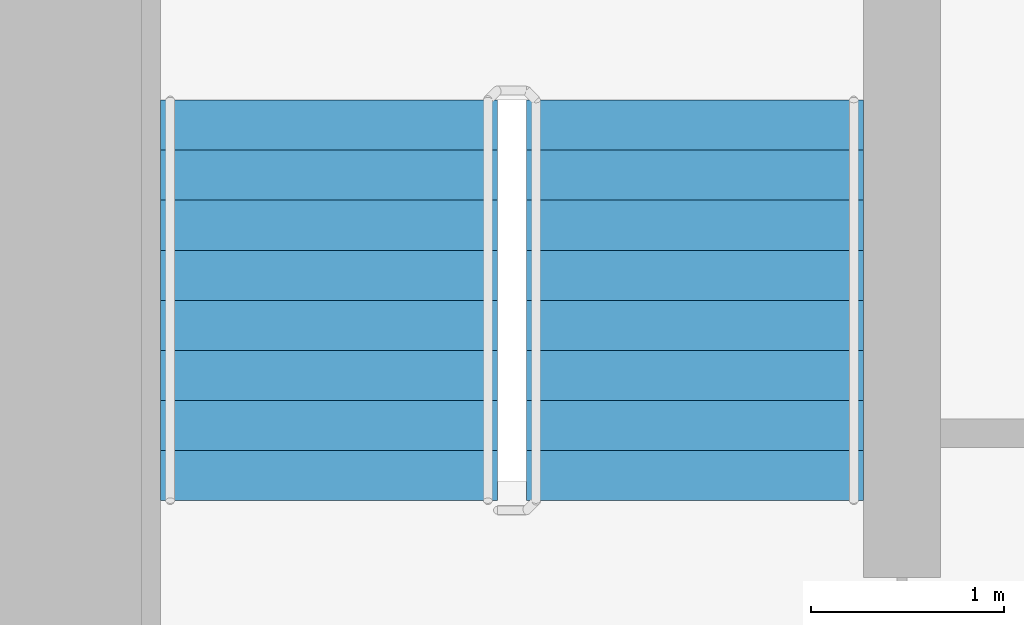
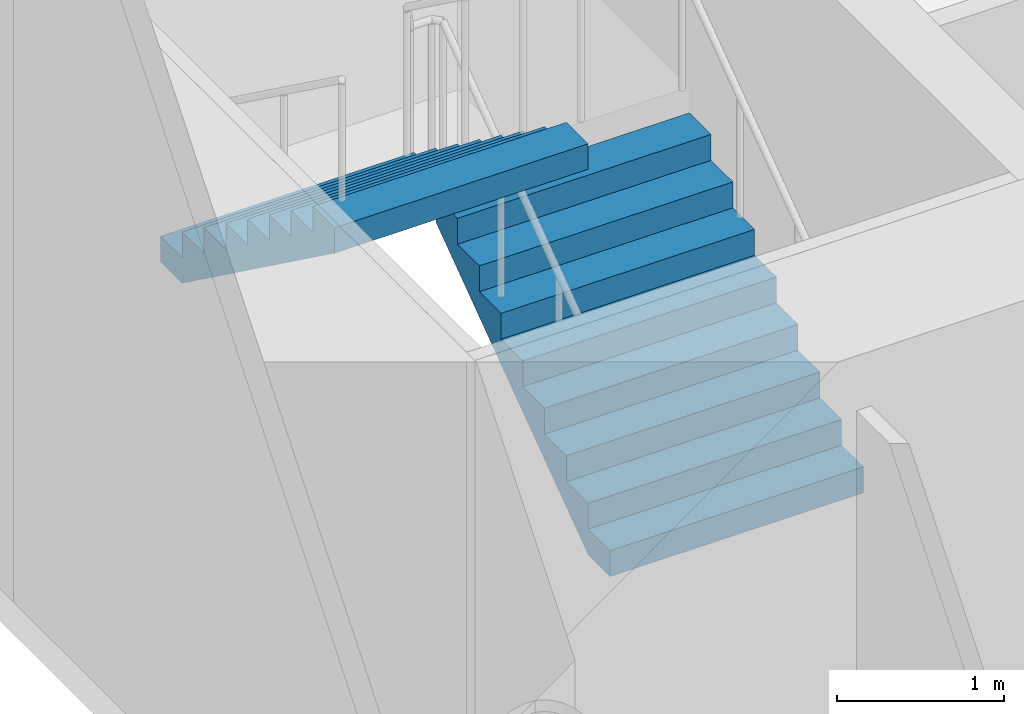
# One storey, part 21 of 25: 2 stair flights, 1 element without a shape of its own.
"""IFC4 building model written with IfcOpenShell, lengths in metres."""

from ifc_helpers import new_model, si_unit, direction, frame, origin, place, context, subcontext, project, spatial, faceted_brep, material, type_object, element, aggregate, save


model = new_model("IFC4")

# Units and contexts
model_context = context("Model", 3, precision=1e-05, world=origin(), true_north=direction((0.0, 1.0)))
body_context = subcontext(model_context, "Body", "Model", "MODEL_VIEW")
ifc_project = project(units=[si_unit("LENGTHUNIT", "METRE"), si_unit("AREAUNIT", "SQUARE_METRE"), si_unit("VOLUMEUNIT", "CUBIC_METRE"), si_unit("PLANEANGLEUNIT", "RADIAN"), si_unit("MASSUNIT", "GRAM", prefix="KILO")], contexts=[model_context])

# Site, building, storey
site_placement = place(None, origin())
site = spatial("IfcSite", under=ifc_project, at=site_placement, CompositionType="ELEMENT")
building_placement = place(site_placement, origin())
building = spatial("IfcBuilding", under=site, at=building_placement, Name="Ipe Terrace Towers", CompositionType="ELEMENT")
storey_placement = place(building_placement, frame((0.0, 0.0, 65.300048828125)))
storey = spatial("IfcBuildingStorey", under=building, at=storey_placement, Name="L17", CompositionType="ELEMENT", Elevation=65.300048828125)

# Stair, stair flights
ifc_material_1 = material(Name="Concrete C30/37", Category="concrete")
stair_type = type_object("IfcStairType", Name="Protected exit stair", PredefinedType="HALF_TURN_STAIR", material=ifc_material_1)
stair_placement = place(storey_placement, origin())
stair = element("IfcStair", 1, at=stair_placement, inside=storey, type_object=stair_type, Name="L17 Exit stair T2-C1", PredefinedType="HALF_TURN_STAIR")
ifc_material_2 = material(Name="Concrete C30/37", Category="concrete")
stair_flight_type = type_object("IfcStairFlightType", Name="Exit stair flight 1750", PredefinedType="STRAIGHT", material=ifc_material_2)
stair_flight_1_placement = place(storey_placement, frame((33.22509765625, 9.699951171875, 0.0), z_axis=(0.0, 0.0, 1.0), x_axis=(0.0, 1.0, 0.0)))
stair_flight_1 = element("IfcStairFlight", 2, at=stair_flight_1_placement, type_object=stair_flight_type, Name="T2-ST1 flight 1", NumberOfRisers=9, NumberOfTreads=8, PredefinedType="STRAIGHT", RiserHeight=0.188888889, TreadLength=0.26, context=body_context, shape_type="Brep", body=[
    faceted_brep([(0.255126953125, -0.875, 0.0), (2.080078125, -0.875, 1.325927734375), (2.080078125, -0.875, 1.51123046875), (1.820068359375, -0.875, 1.51123046875), (1.820068359375, -0.875, 1.322265625), (1.56005859375, -0.875, 1.322265625), (1.56005859375, -0.875, 1.13330078125), (1.300048828125, -0.875, 1.13330078125), (1.300048828125, -0.875, 0.9443359375), (1.0400390625, -0.875, 0.9443359375), (1.0400390625, -0.875, 0.755615234375), (0.780029296875, -0.875, 0.755615234375), (0.780029296875, -0.875, 0.566650390625), (0.52001953125, -0.875, 0.566650390625), (0.52001953125, -0.875, 0.377685546875), (0.260009765625, -0.875, 0.377685546875), (0.260009765625, -0.875, 0.18896484375), (0.0, -0.875, 0.18896484375), (0.0, -0.875, 0.0), (0.0, 0.875, 0.0), (0.0, 0.875, 0.18896484375), (0.260009765625, 0.875, 0.18896484375), (0.260009765625, 0.875, 0.377685546875), (0.52001953125, 0.875, 0.377685546875), (0.52001953125, 0.875, 0.566650390625), (0.780029296875, 0.875, 0.566650390625), (0.780029296875, 0.875, 0.755615234375), (1.0400390625, 0.875, 0.755615234375), (1.0400390625, 0.875, 0.9443359375), (1.300048828125, 0.875, 0.9443359375), (1.300048828125, 0.875, 1.13330078125), (1.56005859375, 0.875, 1.13330078125), (1.56005859375, 0.875, 1.322265625), (1.820068359375, 0.875, 1.322265625), (1.820068359375, 0.875, 1.51123046875), (2.080078125, 0.875, 1.51123046875), (2.080078125, 0.875, 1.325927734375), (0.255126953125, 0.875, 0.0), (0.0, -0.300048828125, 0.18896484375), (0.0, -0.1201171875, 0.18896484375), (0.0, -0.06005859375, 0.18896484375), (0.0, -0.030029296875, 0.18896484375), (0.0, -0.010009765625, 0.18896484375), (0.0, 0.0, 0.18896484375), (0.0, 0.010009765625, 0.18896484375), (0.0, 0.030029296875, 0.18896484375), (0.0, 0.06005859375, 0.18896484375), (0.0, 0.1201171875, 0.18896484375), (0.0, 0.300048828125, 0.18896484375), (0.0, 0.300048828125, 0.0), (0.0, 0.1201171875, 0.0), (0.0, 0.06005859375, 0.0), (0.0, 0.030029296875, 0.0), (0.0, 0.010009765625, 0.0), (0.0, 0.0, 0.0), (0.0, -0.010009765625, 0.0), (0.0, -0.030029296875, 0.0), (0.0, -0.06005859375, 0.0), (0.0, -0.1201171875, 0.0), (0.0, -0.300048828125, 0.0), (0.260009765625, -0.300048828125, 0.18896484375), (0.260009765625, -0.1201171875, 0.18896484375), (0.260009765625, -0.06005859375, 0.18896484375), (0.260009765625, -0.030029296875, 0.18896484375), (0.260009765625, -0.010009765625, 0.18896484375), (0.260009765625, 0.0, 0.18896484375), (0.260009765625, 0.010009765625, 0.18896484375), (0.260009765625, 0.030029296875, 0.18896484375), (0.260009765625, 0.06005859375, 0.18896484375), (0.260009765625, 0.1201171875, 0.18896484375), (0.260009765625, 0.300048828125, 0.18896484375), (0.260009765625, -0.300048828125, 0.377685546875), (0.260009765625, -0.1201171875, 0.377685546875), (0.260009765625, -0.06005859375, 0.377685546875), (0.260009765625, -0.030029296875, 0.377685546875), (0.260009765625, -0.010009765625, 0.377685546875), (0.260009765625, 0.0, 0.377685546875), (0.260009765625, 0.010009765625, 0.377685546875), (0.260009765625, 0.030029296875, 0.377685546875), (0.260009765625, 0.06005859375, 0.377685546875), (0.260009765625, 0.1201171875, 0.377685546875), (0.260009765625, 0.300048828125, 0.377685546875), (0.52001953125, -0.300048828125, 0.377685546875), (0.52001953125, -0.1201171875, 0.377685546875), (0.52001953125, -0.06005859375, 0.377685546875), (0.52001953125, -0.030029296875, 0.377685546875), (0.52001953125, -0.010009765625, 0.377685546875), (0.52001953125, 0.0, 0.377685546875), (0.52001953125, 0.010009765625, 0.377685546875), (0.52001953125, 0.030029296875, 0.377685546875), (0.52001953125, 0.06005859375, 0.377685546875), (0.52001953125, 0.1201171875, 0.377685546875), (0.52001953125, 0.300048828125, 0.377685546875), (0.52001953125, -0.300048828125, 0.566650390625), (0.52001953125, -0.1201171875, 0.566650390625), (0.52001953125, -0.06005859375, 0.566650390625), (0.52001953125, -0.030029296875, 0.566650390625), (0.52001953125, -0.010009765625, 0.566650390625), (0.52001953125, 0.0, 0.566650390625), (0.52001953125, 0.010009765625, 0.566650390625), (0.52001953125, 0.030029296875, 0.566650390625), (0.52001953125, 0.06005859375, 0.566650390625), (0.52001953125, 0.1201171875, 0.566650390625), (0.52001953125, 0.300048828125, 0.566650390625), (0.780029296875, -0.300048828125, 0.566650390625), (0.780029296875, -0.1201171875, 0.566650390625), (0.780029296875, -0.06005859375, 0.566650390625), (0.780029296875, -0.030029296875, 0.566650390625), (0.780029296875, -0.010009765625, 0.566650390625), (0.780029296875, 0.0, 0.566650390625), (0.780029296875, 0.010009765625, 0.566650390625), (0.780029296875, 0.030029296875, 0.566650390625), (0.780029296875, 0.06005859375, 0.566650390625), (0.780029296875, 0.1201171875, 0.566650390625), (0.780029296875, 0.300048828125, 0.566650390625), (0.780029296875, -0.300048828125, 0.755615234375), (0.780029296875, -0.1201171875, 0.755615234375), (0.780029296875, -0.06005859375, 0.755615234375), (0.780029296875, -0.030029296875, 0.755615234375), (0.780029296875, -0.010009765625, 0.755615234375), (0.780029296875, 0.0, 0.755615234375), (0.780029296875, 0.010009765625, 0.755615234375), (0.780029296875, 0.030029296875, 0.755615234375), (0.780029296875, 0.06005859375, 0.755615234375), (0.780029296875, 0.1201171875, 0.755615234375), (0.780029296875, 0.300048828125, 0.755615234375), (1.0400390625, -0.300048828125, 0.755615234375), (1.0400390625, -0.1201171875, 0.755615234375), (1.0400390625, -0.06005859375, 0.755615234375), (1.0400390625, -0.030029296875, 0.755615234375), (1.0400390625, -0.010009765625, 0.755615234375), (1.0400390625, 0.0, 0.755615234375), (1.0400390625, 0.010009765625, 0.755615234375), (1.0400390625, 0.030029296875, 0.755615234375), (1.0400390625, 0.06005859375, 0.755615234375), (1.0400390625, 0.1201171875, 0.755615234375), (1.0400390625, 0.300048828125, 0.755615234375), (1.0400390625, -0.300048828125, 0.9443359375), (1.0400390625, -0.1201171875, 0.9443359375), (1.0400390625, -0.06005859375, 0.9443359375), (1.0400390625, -0.030029296875, 0.9443359375), (1.0400390625, -0.010009765625, 0.9443359375), (1.0400390625, 0.0, 0.9443359375), (1.0400390625, 0.010009765625, 0.9443359375), (1.0400390625, 0.030029296875, 0.9443359375), (1.0400390625, 0.06005859375, 0.9443359375), (1.0400390625, 0.1201171875, 0.9443359375), (1.0400390625, 0.300048828125, 0.9443359375), (1.300048828125, -0.300048828125, 0.9443359375), (1.300048828125, -0.1201171875, 0.9443359375), (1.300048828125, -0.06005859375, 0.9443359375), (1.300048828125, -0.030029296875, 0.9443359375), (1.300048828125, -0.010009765625, 0.9443359375), (1.300048828125, 0.0, 0.9443359375), (1.300048828125, 0.010009765625, 0.9443359375), (1.300048828125, 0.030029296875, 0.9443359375), (1.300048828125, 0.06005859375, 0.9443359375), (1.300048828125, 0.1201171875, 0.9443359375), (1.300048828125, 0.300048828125, 0.9443359375), (1.300048828125, -0.300048828125, 1.13330078125), (1.300048828125, -0.1201171875, 1.13330078125), (1.300048828125, -0.06005859375, 1.13330078125), (1.300048828125, -0.030029296875, 1.13330078125), (1.300048828125, -0.010009765625, 1.13330078125), (1.300048828125, 0.0, 1.13330078125), (1.300048828125, 0.010009765625, 1.13330078125), (1.300048828125, 0.030029296875, 1.13330078125), (1.300048828125, 0.06005859375, 1.13330078125), (1.300048828125, 0.1201171875, 1.13330078125), (1.300048828125, 0.300048828125, 1.13330078125), (1.56005859375, -0.300048828125, 1.13330078125), (1.56005859375, -0.1201171875, 1.13330078125), (1.56005859375, -0.06005859375, 1.13330078125), (1.56005859375, -0.030029296875, 1.13330078125), (1.56005859375, -0.010009765625, 1.13330078125), (1.56005859375, 0.0, 1.13330078125), (1.56005859375, 0.010009765625, 1.13330078125), (1.56005859375, 0.030029296875, 1.13330078125), (1.56005859375, 0.06005859375, 1.13330078125), (1.56005859375, 0.1201171875, 1.13330078125), (1.56005859375, 0.300048828125, 1.13330078125), (1.56005859375, -0.300048828125, 1.322265625), (1.56005859375, -0.1201171875, 1.322265625), (1.56005859375, -0.06005859375, 1.322265625), (1.56005859375, -0.030029296875, 1.322265625), (1.56005859375, -0.010009765625, 1.322265625), (1.56005859375, 0.0, 1.322265625), (1.56005859375, 0.010009765625, 1.322265625), (1.56005859375, 0.030029296875, 1.322265625), (1.56005859375, 0.06005859375, 1.322265625), (1.56005859375, 0.1201171875, 1.322265625), (1.56005859375, 0.300048828125, 1.322265625), (1.820068359375, -0.300048828125, 1.322265625), (1.820068359375, -0.1201171875, 1.322265625), (1.820068359375, -0.06005859375, 1.322265625), (1.820068359375, -0.030029296875, 1.322265625), (1.820068359375, -0.010009765625, 1.322265625), (1.820068359375, 0.0, 1.322265625), (1.820068359375, 0.010009765625, 1.322265625), (1.820068359375, 0.030029296875, 1.322265625), (1.820068359375, 0.06005859375, 1.322265625), (1.820068359375, 0.1201171875, 1.322265625), (1.820068359375, 0.300048828125, 1.322265625), (1.820068359375, -0.300048828125, 1.51123046875), (1.820068359375, -0.1201171875, 1.51123046875), (1.820068359375, -0.06005859375, 1.51123046875), (1.820068359375, -0.030029296875, 1.51123046875), (1.820068359375, -0.010009765625, 1.51123046875), (1.820068359375, 0.0, 1.51123046875), (1.820068359375, 0.010009765625, 1.51123046875), (1.820068359375, 0.030029296875, 1.51123046875), (1.820068359375, 0.06005859375, 1.51123046875), (1.820068359375, 0.1201171875, 1.51123046875), (1.820068359375, 0.300048828125, 1.51123046875), (2.080078125, -0.300048828125, 1.51123046875), (2.080078125, -0.1201171875, 1.51123046875), (2.080078125, -0.06005859375, 1.51123046875), (2.080078125, -0.030029296875, 1.51123046875), (2.080078125, -0.010009765625, 1.51123046875), (2.080078125, 0.0, 1.51123046875), (2.080078125, 0.010009765625, 1.51123046875), (2.080078125, 0.030029296875, 1.51123046875), (2.080078125, 0.06005859375, 1.51123046875), (2.080078125, 0.1201171875, 1.51123046875), (2.080078125, 0.300048828125, 1.51123046875), (2.080078125, -0.300048828125, 1.325927734375), (2.080078125, -0.1201171875, 1.325927734375), (2.080078125, -0.06005859375, 1.325927734375), (2.080078125, -0.030029296875, 1.325927734375), (2.080078125, -0.010009765625, 1.325927734375), (2.080078125, 0.0, 1.325927734375), (2.080078125, 0.010009765625, 1.325927734375), (2.080078125, 0.030029296875, 1.325927734375), (2.080078125, 0.06005859375, 1.325927734375), (2.080078125, 0.1201171875, 1.325927734375), (2.080078125, 0.300048828125, 1.325927734375), (0.255126953125, -0.300048828125, 0.0), (0.255126953125, -0.1201171875, 0.0), (0.255126953125, -0.06005859375, 0.0), (0.255126953125, -0.030029296875, 0.0), (0.255126953125, -0.010009765625, 0.0), (0.255126953125, 0.0, 0.0), (0.255126953125, 0.010009765625, 0.0), (0.255126953125, 0.030029296875, 0.0), (0.255126953125, 0.06005859375, 0.0), (0.255126953125, 0.1201171875, 0.0), (0.255126953125, 0.300048828125, 0.0)], [[[0, 1, 2, 3, 4, 5, 6, 7, 8, 9, 10, 11, 12, 13, 14, 15, 16, 17, 18]], [[19, 20, 21, 22, 23, 24, 25, 26, 27, 28, 29, 30, 31, 32, 33, 34, 35, 36, 37]], [[17, 38, 39, 40, 41, 42, 43, 44, 45, 46, 47, 48, 20, 19, 49, 50, 51, 52, 53, 54, 55, 56, 57, 58, 59, 18]], [[16, 60, 61, 62, 63, 64, 65, 66, 67, 68, 69, 70, 21, 20, 48, 47, 46, 45, 44, 43, 42, 41, 40, 39, 38, 17]], [[15, 71, 72, 73, 74, 75, 76, 77, 78, 79, 80, 81, 22, 21, 70, 69, 68, 67, 66, 65, 64, 63, 62, 61, 60, 16]], [[14, 82, 83, 84, 85, 86, 87, 88, 89, 90, 91, 92, 23, 22, 81, 80, 79, 78, 77, 76, 75, 74, 73, 72, 71, 15]], [[13, 93, 94, 95, 96, 97, 98, 99, 100, 101, 102, 103, 24, 23, 92, 91, 90, 89, 88, 87, 86, 85, 84, 83, 82, 14]], [[12, 104, 105, 106, 107, 108, 109, 110, 111, 112, 113, 114, 25, 24, 103, 102, 101, 100, 99, 98, 97, 96, 95, 94, 93, 13]], [[11, 115, 116, 117, 118, 119, 120, 121, 122, 123, 124, 125, 26, 25, 114, 113, 112, 111, 110, 109, 108, 107, 106, 105, 104, 12]], [[10, 126, 127, 128, 129, 130, 131, 132, 133, 134, 135, 136, 27, 26, 125, 124, 123, 122, 121, 120, 119, 118, 117, 116, 115, 11]], [[9, 137, 138, 139, 140, 141, 142, 143, 144, 145, 146, 147, 28, 27, 136, 135, 134, 133, 132, 131, 130, 129, 128, 127, 126, 10]], [[8, 148, 149, 150, 151, 152, 153, 154, 155, 156, 157, 158, 29, 28, 147, 146, 145, 144, 143, 142, 141, 140, 139, 138, 137, 9]], [[7, 159, 160, 161, 162, 163, 164, 165, 166, 167, 168, 169, 30, 29, 158, 157, 156, 155, 154, 153, 152, 151, 150, 149, 148, 8]], [[6, 170, 171, 172, 173, 174, 175, 176, 177, 178, 179, 180, 31, 30, 169, 168, 167, 166, 165, 164, 163, 162, 161, 160, 159, 7]], [[5, 181, 182, 183, 184, 185, 186, 187, 188, 189, 190, 191, 32, 31, 180, 179, 178, 177, 176, 175, 174, 173, 172, 171, 170, 6]], [[4, 192, 193, 194, 195, 196, 197, 198, 199, 200, 201, 202, 33, 32, 191, 190, 189, 188, 187, 186, 185, 184, 183, 182, 181, 5]], [[3, 203, 204, 205, 206, 207, 208, 209, 210, 211, 212, 213, 34, 33, 202, 201, 200, 199, 198, 197, 196, 195, 194, 193, 192, 4]], [[2, 214, 215, 216, 217, 218, 219, 220, 221, 222, 223, 224, 35, 34, 213, 212, 211, 210, 209, 208, 207, 206, 205, 204, 203, 3]], [[1, 225, 226, 227, 228, 229, 230, 231, 232, 233, 234, 235, 36, 35, 224, 223, 222, 221, 220, 219, 218, 217, 216, 215, 214, 2]], [[0, 236, 237, 238, 239, 240, 241, 242, 243, 244, 245, 246, 37, 36, 235, 234, 233, 232, 231, 230, 229, 228, 227, 226, 225, 1]], [[18, 59, 58, 57, 56, 55, 54, 53, 52, 51, 50, 49, 19, 37, 246, 245, 244, 243, 242, 241, 240, 239, 238, 237, 236, 0]]]),
])
stair_flight_2_placement = place(storey_placement, frame((31.324951171875, 11.780029296875, 1.699951171875), z_axis=(0.0, 0.0, 1.0), x_axis=(0.0, -1.0, 0.0)))
stair_flight_2 = element("IfcStairFlight", 3, at=stair_flight_2_placement, type_object=stair_flight_type, Name="T2-ST1 flight 2", NumberOfRisers=9, NumberOfTreads=8, PredefinedType="STRAIGHT", RiserHeight=0.188888889, TreadLength=0.26, context=body_context, shape_type="Brep", body=[
    faceted_brep([(0.255126953125, -0.875, 0.0), (2.080078125, -0.875, 1.325927734375), (2.080078125, -0.875, 1.51123046875), (1.820068359375, -0.875, 1.51123046875), (1.820068359375, -0.875, 1.322265625), (1.56005859375, -0.875, 1.322265625), (1.56005859375, -0.875, 1.13330078125), (1.300048828125, -0.875, 1.13330078125), (1.300048828125, -0.875, 0.9443359375), (1.0400390625, -0.875, 0.9443359375), (1.0400390625, -0.875, 0.755615234375), (0.780029296875, -0.875, 0.755615234375), (0.780029296875, -0.875, 0.566650390625), (0.52001953125, -0.875, 0.566650390625), (0.52001953125, -0.875, 0.377685546875), (0.260009765625, -0.875, 0.377685546875), (0.260009765625, -0.875, 0.18896484375), (0.0, -0.875, 0.18896484375), (0.0, -0.875, 0.0), (0.0, 0.875, 0.0), (0.0, 0.875, 0.18896484375), (0.260009765625, 0.875, 0.18896484375), (0.260009765625, 0.875, 0.377685546875), (0.52001953125, 0.875, 0.377685546875), (0.52001953125, 0.875, 0.566650390625), (0.780029296875, 0.875, 0.566650390625), (0.780029296875, 0.875, 0.755615234375), (1.0400390625, 0.875, 0.755615234375), (1.0400390625, 0.875, 0.9443359375), (1.300048828125, 0.875, 0.9443359375), (1.300048828125, 0.875, 1.13330078125), (1.56005859375, 0.875, 1.13330078125), (1.56005859375, 0.875, 1.322265625), (1.820068359375, 0.875, 1.322265625), (1.820068359375, 0.875, 1.51123046875), (2.080078125, 0.875, 1.51123046875), (2.080078125, 0.875, 1.325927734375), (0.255126953125, 0.875, 0.0), (0.0, -0.300048828125, 0.18896484375), (0.0, -0.1201171875, 0.18896484375), (0.0, -0.06005859375, 0.18896484375), (0.0, -0.030029296875, 0.18896484375), (0.0, -0.010009765625, 0.18896484375), (0.0, 0.0, 0.18896484375), (0.0, 0.010009765625, 0.18896484375), (0.0, 0.030029296875, 0.18896484375), (0.0, 0.06005859375, 0.18896484375), (0.0, 0.1201171875, 0.18896484375), (0.0, 0.300048828125, 0.18896484375), (0.0, 0.300048828125, 0.0), (0.0, 0.1201171875, 0.0), (0.0, 0.06005859375, 0.0), (0.0, 0.030029296875, 0.0), (0.0, 0.010009765625, 0.0), (0.0, 0.0, 0.0), (0.0, -0.010009765625, 0.0), (0.0, -0.030029296875, 0.0), (0.0, -0.06005859375, 0.0), (0.0, -0.1201171875, 0.0), (0.0, -0.300048828125, 0.0), (0.260009765625, -0.300048828125, 0.18896484375), (0.260009765625, -0.1201171875, 0.18896484375), (0.260009765625, -0.06005859375, 0.18896484375), (0.260009765625, -0.030029296875, 0.18896484375), (0.260009765625, -0.010009765625, 0.18896484375), (0.260009765625, 0.0, 0.18896484375), (0.260009765625, 0.010009765625, 0.18896484375), (0.260009765625, 0.030029296875, 0.18896484375), (0.260009765625, 0.06005859375, 0.18896484375), (0.260009765625, 0.1201171875, 0.18896484375), (0.260009765625, 0.300048828125, 0.18896484375), (0.260009765625, -0.300048828125, 0.377685546875), (0.260009765625, -0.1201171875, 0.377685546875), (0.260009765625, -0.06005859375, 0.377685546875), (0.260009765625, -0.030029296875, 0.377685546875), (0.260009765625, -0.010009765625, 0.377685546875), (0.260009765625, 0.0, 0.377685546875), (0.260009765625, 0.010009765625, 0.377685546875), (0.260009765625, 0.030029296875, 0.377685546875), (0.260009765625, 0.06005859375, 0.377685546875), (0.260009765625, 0.1201171875, 0.377685546875), (0.260009765625, 0.300048828125, 0.377685546875), (0.52001953125, -0.300048828125, 0.377685546875), (0.52001953125, -0.1201171875, 0.377685546875), (0.52001953125, -0.06005859375, 0.377685546875), (0.52001953125, -0.030029296875, 0.377685546875), (0.52001953125, -0.010009765625, 0.377685546875), (0.52001953125, 0.0, 0.377685546875), (0.52001953125, 0.010009765625, 0.377685546875), (0.52001953125, 0.030029296875, 0.377685546875), (0.52001953125, 0.06005859375, 0.377685546875), (0.52001953125, 0.1201171875, 0.377685546875), (0.52001953125, 0.300048828125, 0.377685546875), (0.52001953125, -0.300048828125, 0.566650390625), (0.52001953125, -0.1201171875, 0.566650390625), (0.52001953125, -0.06005859375, 0.566650390625), (0.52001953125, -0.030029296875, 0.566650390625), (0.52001953125, -0.010009765625, 0.566650390625), (0.52001953125, 0.0, 0.566650390625), (0.52001953125, 0.010009765625, 0.566650390625), (0.52001953125, 0.030029296875, 0.566650390625), (0.52001953125, 0.06005859375, 0.566650390625), (0.52001953125, 0.1201171875, 0.566650390625), (0.52001953125, 0.300048828125, 0.566650390625), (0.780029296875, -0.300048828125, 0.566650390625), (0.780029296875, -0.1201171875, 0.566650390625), (0.780029296875, -0.06005859375, 0.566650390625), (0.780029296875, -0.030029296875, 0.566650390625), (0.780029296875, -0.010009765625, 0.566650390625), (0.780029296875, 0.0, 0.566650390625), (0.780029296875, 0.010009765625, 0.566650390625), (0.780029296875, 0.030029296875, 0.566650390625), (0.780029296875, 0.06005859375, 0.566650390625), (0.780029296875, 0.1201171875, 0.566650390625), (0.780029296875, 0.300048828125, 0.566650390625), (0.780029296875, -0.300048828125, 0.755615234375), (0.780029296875, -0.1201171875, 0.755615234375), (0.780029296875, -0.06005859375, 0.755615234375), (0.780029296875, -0.030029296875, 0.755615234375), (0.780029296875, -0.010009765625, 0.755615234375), (0.780029296875, 0.0, 0.755615234375), (0.780029296875, 0.010009765625, 0.755615234375), (0.780029296875, 0.030029296875, 0.755615234375), (0.780029296875, 0.06005859375, 0.755615234375), (0.780029296875, 0.1201171875, 0.755615234375), (0.780029296875, 0.300048828125, 0.755615234375), (1.0400390625, -0.300048828125, 0.755615234375), (1.0400390625, -0.1201171875, 0.755615234375), (1.0400390625, -0.06005859375, 0.755615234375), (1.0400390625, -0.030029296875, 0.755615234375), (1.0400390625, -0.010009765625, 0.755615234375), (1.0400390625, 0.0, 0.755615234375), (1.0400390625, 0.010009765625, 0.755615234375), (1.0400390625, 0.030029296875, 0.755615234375), (1.0400390625, 0.06005859375, 0.755615234375), (1.0400390625, 0.1201171875, 0.755615234375), (1.0400390625, 0.300048828125, 0.755615234375), (1.0400390625, -0.300048828125, 0.9443359375), (1.0400390625, -0.1201171875, 0.9443359375), (1.0400390625, -0.06005859375, 0.9443359375), (1.0400390625, -0.030029296875, 0.9443359375), (1.0400390625, -0.010009765625, 0.9443359375), (1.0400390625, 0.0, 0.9443359375), (1.0400390625, 0.010009765625, 0.9443359375), (1.0400390625, 0.030029296875, 0.9443359375), (1.0400390625, 0.06005859375, 0.9443359375), (1.0400390625, 0.1201171875, 0.9443359375), (1.0400390625, 0.300048828125, 0.9443359375), (1.300048828125, -0.300048828125, 0.9443359375), (1.300048828125, -0.1201171875, 0.9443359375), (1.300048828125, -0.06005859375, 0.9443359375), (1.300048828125, -0.030029296875, 0.9443359375), (1.300048828125, -0.010009765625, 0.9443359375), (1.300048828125, 0.0, 0.9443359375), (1.300048828125, 0.010009765625, 0.9443359375), (1.300048828125, 0.030029296875, 0.9443359375), (1.300048828125, 0.06005859375, 0.9443359375), (1.300048828125, 0.1201171875, 0.9443359375), (1.300048828125, 0.300048828125, 0.9443359375), (1.300048828125, -0.300048828125, 1.13330078125), (1.300048828125, -0.1201171875, 1.13330078125), (1.300048828125, -0.06005859375, 1.13330078125), (1.300048828125, -0.030029296875, 1.13330078125), (1.300048828125, -0.010009765625, 1.13330078125), (1.300048828125, 0.0, 1.13330078125), (1.300048828125, 0.010009765625, 1.13330078125), (1.300048828125, 0.030029296875, 1.13330078125), (1.300048828125, 0.06005859375, 1.13330078125), (1.300048828125, 0.1201171875, 1.13330078125), (1.300048828125, 0.300048828125, 1.13330078125), (1.56005859375, -0.300048828125, 1.13330078125), (1.56005859375, -0.1201171875, 1.13330078125), (1.56005859375, -0.06005859375, 1.13330078125), (1.56005859375, -0.030029296875, 1.13330078125), (1.56005859375, -0.010009765625, 1.13330078125), (1.56005859375, 0.0, 1.13330078125), (1.56005859375, 0.010009765625, 1.13330078125), (1.56005859375, 0.030029296875, 1.13330078125), (1.56005859375, 0.06005859375, 1.13330078125), (1.56005859375, 0.1201171875, 1.13330078125), (1.56005859375, 0.300048828125, 1.13330078125), (1.56005859375, -0.300048828125, 1.322265625), (1.56005859375, -0.1201171875, 1.322265625), (1.56005859375, -0.06005859375, 1.322265625), (1.56005859375, -0.030029296875, 1.322265625), (1.56005859375, -0.010009765625, 1.322265625), (1.56005859375, 0.0, 1.322265625), (1.56005859375, 0.010009765625, 1.322265625), (1.56005859375, 0.030029296875, 1.322265625), (1.56005859375, 0.06005859375, 1.322265625), (1.56005859375, 0.1201171875, 1.322265625), (1.56005859375, 0.300048828125, 1.322265625), (1.820068359375, -0.300048828125, 1.322265625), (1.820068359375, -0.1201171875, 1.322265625), (1.820068359375, -0.06005859375, 1.322265625), (1.820068359375, -0.030029296875, 1.322265625), (1.820068359375, -0.010009765625, 1.322265625), (1.820068359375, 0.0, 1.322265625), (1.820068359375, 0.010009765625, 1.322265625), (1.820068359375, 0.030029296875, 1.322265625), (1.820068359375, 0.06005859375, 1.322265625), (1.820068359375, 0.1201171875, 1.322265625), (1.820068359375, 0.300048828125, 1.322265625), (1.820068359375, -0.300048828125, 1.51123046875), (1.820068359375, -0.1201171875, 1.51123046875), (1.820068359375, -0.06005859375, 1.51123046875), (1.820068359375, -0.030029296875, 1.51123046875), (1.820068359375, -0.010009765625, 1.51123046875), (1.820068359375, 0.0, 1.51123046875), (1.820068359375, 0.010009765625, 1.51123046875), (1.820068359375, 0.030029296875, 1.51123046875), (1.820068359375, 0.06005859375, 1.51123046875), (1.820068359375, 0.1201171875, 1.51123046875), (1.820068359375, 0.300048828125, 1.51123046875), (2.080078125, -0.300048828125, 1.51123046875), (2.080078125, -0.1201171875, 1.51123046875), (2.080078125, -0.06005859375, 1.51123046875), (2.080078125, -0.030029296875, 1.51123046875), (2.080078125, -0.010009765625, 1.51123046875), (2.080078125, 0.0, 1.51123046875), (2.080078125, 0.010009765625, 1.51123046875), (2.080078125, 0.030029296875, 1.51123046875), (2.080078125, 0.06005859375, 1.51123046875), (2.080078125, 0.1201171875, 1.51123046875), (2.080078125, 0.300048828125, 1.51123046875), (2.080078125, -0.300048828125, 1.325927734375), (2.080078125, -0.1201171875, 1.325927734375), (2.080078125, -0.06005859375, 1.325927734375), (2.080078125, -0.030029296875, 1.325927734375), (2.080078125, -0.010009765625, 1.325927734375), (2.080078125, 0.0, 1.325927734375), (2.080078125, 0.010009765625, 1.325927734375), (2.080078125, 0.030029296875, 1.325927734375), (2.080078125, 0.06005859375, 1.325927734375), (2.080078125, 0.1201171875, 1.325927734375), (2.080078125, 0.300048828125, 1.325927734375), (0.255126953125, -0.300048828125, 0.0), (0.255126953125, -0.1201171875, 0.0), (0.255126953125, -0.06005859375, 0.0), (0.255126953125, -0.030029296875, 0.0), (0.255126953125, -0.010009765625, 0.0), (0.255126953125, 0.0, 0.0), (0.255126953125, 0.010009765625, 0.0), (0.255126953125, 0.030029296875, 0.0), (0.255126953125, 0.06005859375, 0.0), (0.255126953125, 0.1201171875, 0.0), (0.255126953125, 0.300048828125, 0.0)], [[[0, 1, 2, 3, 4, 5, 6, 7, 8, 9, 10, 11, 12, 13, 14, 15, 16, 17, 18]], [[19, 20, 21, 22, 23, 24, 25, 26, 27, 28, 29, 30, 31, 32, 33, 34, 35, 36, 37]], [[17, 38, 39, 40, 41, 42, 43, 44, 45, 46, 47, 48, 20, 19, 49, 50, 51, 52, 53, 54, 55, 56, 57, 58, 59, 18]], [[16, 60, 61, 62, 63, 64, 65, 66, 67, 68, 69, 70, 21, 20, 48, 47, 46, 45, 44, 43, 42, 41, 40, 39, 38, 17]], [[15, 71, 72, 73, 74, 75, 76, 77, 78, 79, 80, 81, 22, 21, 70, 69, 68, 67, 66, 65, 64, 63, 62, 61, 60, 16]], [[14, 82, 83, 84, 85, 86, 87, 88, 89, 90, 91, 92, 23, 22, 81, 80, 79, 78, 77, 76, 75, 74, 73, 72, 71, 15]], [[13, 93, 94, 95, 96, 97, 98, 99, 100, 101, 102, 103, 24, 23, 92, 91, 90, 89, 88, 87, 86, 85, 84, 83, 82, 14]], [[12, 104, 105, 106, 107, 108, 109, 110, 111, 112, 113, 114, 25, 24, 103, 102, 101, 100, 99, 98, 97, 96, 95, 94, 93, 13]], [[11, 115, 116, 117, 118, 119, 120, 121, 122, 123, 124, 125, 26, 25, 114, 113, 112, 111, 110, 109, 108, 107, 106, 105, 104, 12]], [[10, 126, 127, 128, 129, 130, 131, 132, 133, 134, 135, 136, 27, 26, 125, 124, 123, 122, 121, 120, 119, 118, 117, 116, 115, 11]], [[9, 137, 138, 139, 140, 141, 142, 143, 144, 145, 146, 147, 28, 27, 136, 135, 134, 133, 132, 131, 130, 129, 128, 127, 126, 10]], [[8, 148, 149, 150, 151, 152, 153, 154, 155, 156, 157, 158, 29, 28, 147, 146, 145, 144, 143, 142, 141, 140, 139, 138, 137, 9]], [[7, 159, 160, 161, 162, 163, 164, 165, 166, 167, 168, 169, 30, 29, 158, 157, 156, 155, 154, 153, 152, 151, 150, 149, 148, 8]], [[6, 170, 171, 172, 173, 174, 175, 176, 177, 178, 179, 180, 31, 30, 169, 168, 167, 166, 165, 164, 163, 162, 161, 160, 159, 7]], [[5, 181, 182, 183, 184, 185, 186, 187, 188, 189, 190, 191, 32, 31, 180, 179, 178, 177, 176, 175, 174, 173, 172, 171, 170, 6]], [[4, 192, 193, 194, 195, 196, 197, 198, 199, 200, 201, 202, 33, 32, 191, 190, 189, 188, 187, 186, 185, 184, 183, 182, 181, 5]], [[3, 203, 204, 205, 206, 207, 208, 209, 210, 211, 212, 213, 34, 33, 202, 201, 200, 199, 198, 197, 196, 195, 194, 193, 192, 4]], [[2, 214, 215, 216, 217, 218, 219, 220, 221, 222, 223, 224, 35, 34, 213, 212, 211, 210, 209, 208, 207, 206, 205, 204, 203, 3]], [[1, 225, 226, 227, 228, 229, 230, 231, 232, 233, 234, 235, 36, 35, 224, 223, 222, 221, 220, 219, 218, 217, 216, 215, 214, 2]], [[0, 236, 237, 238, 239, 240, 241, 242, 243, 244, 245, 246, 37, 36, 235, 234, 233, 232, 231, 230, 229, 228, 227, 226, 225, 1]], [[18, 59, 58, 57, 56, 55, 54, 53, 52, 51, 50, 49, 19, 37, 246, 245, 244, 243, 242, 241, 240, 239, 238, 237, 236, 0]]]),
])
aggregate(stair, [stair_flight_1, stair_flight_2])

save(model, "model.ifc")
